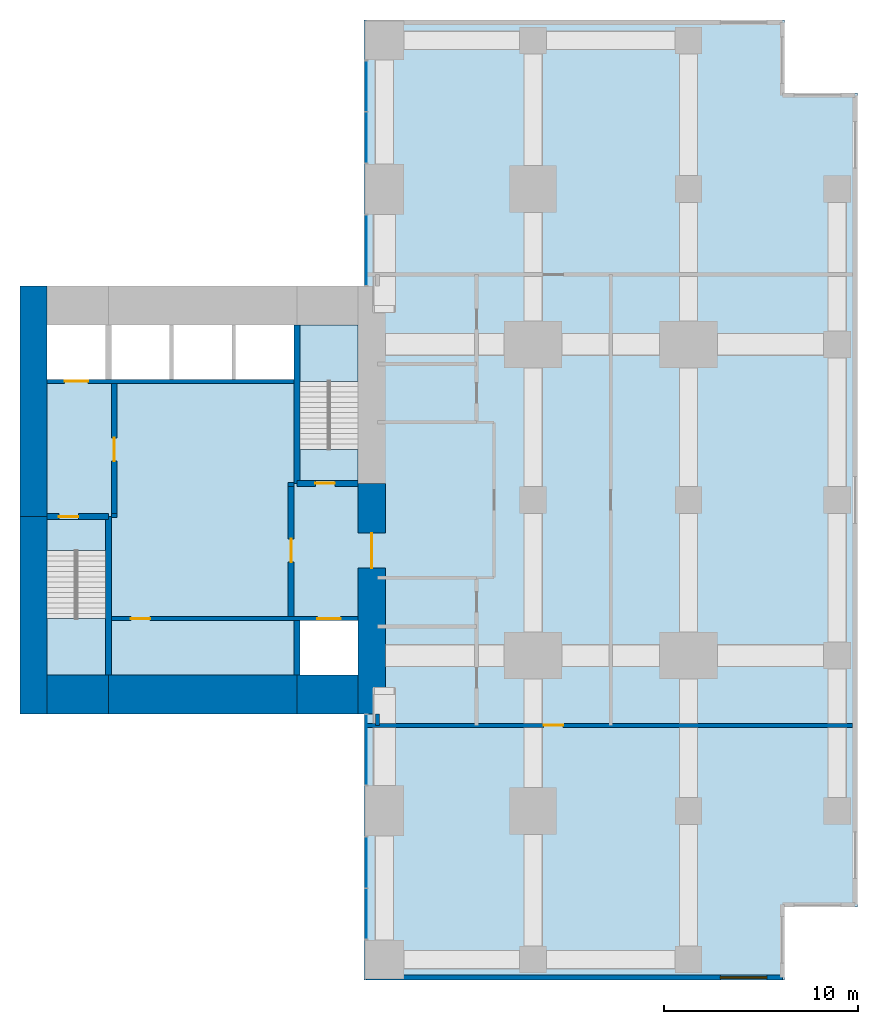
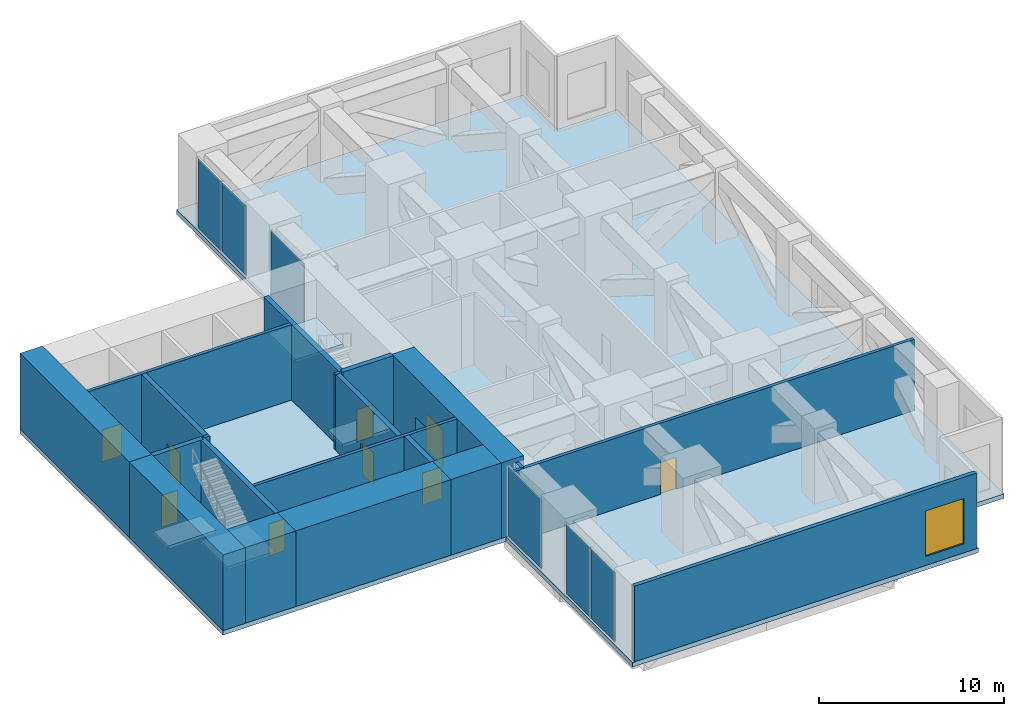
# One storey, part 4 of 7: 20 walls, 9 doors, 6 plates, 5 slabs, 1 window, 10 openings, 6 elements without a shape of their own.
"""IFC4 building model written with IfcOpenShell, lengths in metres."""

from ifc_helpers import new_model, si_unit, direction, frame, frame_2d, origin, origin_2d, place, context, subcontext, project, spatial, polyline, rectangle, outline, extrude, material, layer, layer_set, type_object, element, fill, aggregate, save


model = new_model("IFC4")

# Units and contexts
model_context = context("Model", 3, precision=1e-05, world=origin(), true_north=direction((0.0, 1.0)))
body_context = subcontext(model_context, "Body", "Model", "MODEL_VIEW")
ifc_project = project(units=[si_unit("LENGTHUNIT", "METRE"), si_unit("AREAUNIT", "SQUARE_METRE"), si_unit("VOLUMEUNIT", "CUBIC_METRE"), si_unit("PLANEANGLEUNIT", "RADIAN"), si_unit("MASSUNIT", "GRAM", prefix="KILO")], contexts=[model_context])

# Site, building, storey
site_placement = place(None, origin())
site = spatial("IfcSite", under=ifc_project, at=site_placement, CompositionType="ELEMENT")
building_placement = place(site_placement, origin())
building = spatial("IfcBuilding", under=site, at=building_placement, Name="Cleftline Residences", CompositionType="ELEMENT")
storey_placement = place(building_placement, frame((0.0, 0.0, 291.60009765625)))
storey = spatial("IfcBuildingStorey", under=building, at=storey_placement, Name="L76", CompositionType="ELEMENT", Elevation=291.60009765625)

# Curtain wall, plate
ifc_material_1 = material(Name="Aluminium framed curtain wall", Category="aluminium")
ifc_layer_1 = layer(ifc_material_1, 0.199951171875)
ifc_layer_set_1 = layer_set([ifc_layer_1], Name="CW1 CLEFT GLAZING")
curtain_wall_type = type_object("IfcCurtainWallType", Name="CW1 CLEFT GLAZING", PredefinedType="NOTDEFINED", material=ifc_layer_set_1)
curtain_wall_1_placement = place(storey_placement, origin())
curtain_wall_1 = element("IfcCurtainWall", 1, at=curtain_wall_1_placement, inside=storey, type_object=curtain_wall_type, Name="Curtain wall CW1", PredefinedType="NOTDEFINED")
ifc_material_2 = material(Name="Insulated aluminium panel", Category="aluminium")
ifc_layer_2 = layer(ifc_material_2, 0.028076171875)
ifc_layer_set_2 = layer_set([ifc_layer_2], Name="CW1 INSULATED PANEL")
plate_type = type_object("IfcPlateType", Name="CW1 INSULATED PANEL", PredefinedType="USERDEFINED", material=ifc_layer_set_2)
plate_1_placement = place(storey_placement, frame((41.425048828125, 11.14990234375, 0.059814453125), z_axis=(0.0, 0.0, 1.0), x_axis=(0.0, -1.0, 0.0)))
plate_1 = element("IfcPlate", 2, at=plate_1_placement, type_object=plate_type, Name="CW1 panel 1.1", ObjectType="INSULATED PANEL", PredefinedType="USERDEFINED", context=body_context, shape_type="SweptSolid", body=[
    extrude(rectangle(XDim=3.580078125, YDim=0.028076171875, at=origin_2d()), origin(), (0.0, 0.0, 1.0), 4.580078125),
])
aggregate(curtain_wall_1, [plate_1])

# Curtain wall, plates
curtain_wall_2_placement = place(storey_placement, origin())
curtain_wall_2 = element("IfcCurtainWall", 3, at=curtain_wall_2_placement, inside=storey, type_object=curtain_wall_type, Name="Curtain wall CW1", PredefinedType="NOTDEFINED")
plate_2_placement = place(storey_placement, frame((41.425048828125, 5.347412109375, 0.059814453125), z_axis=(0.0, 0.0, 1.0), x_axis=(0.0, -1.0, 0.0)))
plate_2 = element("IfcPlate", 4, at=plate_2_placement, type_object=plate_type, Name="CW1 panel 1.1", ObjectType="INSULATED PANEL", PredefinedType="USERDEFINED", context=body_context, shape_type="SweptSolid", body=[
    extrude(rectangle(XDim=2.5849609375, YDim=0.028076171875, at=origin_2d()), origin(), (0.0, 0.0, 1.0), 4.580078125),
])
plate_3_placement = place(storey_placement, frame((41.425048828125, 2.702392578125, 0.059814453125), z_axis=(0.0, 0.0, 1.0), x_axis=(0.0, -1.0, 0.0)))
plate_3 = element("IfcPlate", 5, at=plate_3_placement, type_object=plate_type, Name="CW1 panel 2.1", ObjectType="INSULATED PANEL", PredefinedType="USERDEFINED", context=body_context, shape_type="SweptSolid", body=[
    extrude(rectangle(XDim=2.5849609375, YDim=0.028076171875, at=origin_2d()), origin(), (0.0, 0.0, 1.0), 4.580078125),
])
aggregate(curtain_wall_2, [plate_2, plate_3])

curtain_wall_3_placement = place(storey_placement, origin())
curtain_wall_3 = element("IfcCurtainWall", 6, at=curtain_wall_3_placement, inside=storey, type_object=curtain_wall_type, Name="Curtain wall CW1", PredefinedType="NOTDEFINED")
plate_4_placement = place(storey_placement, frame((41.425048828125, 45.297607421875, 0.059814453125), z_axis=(0.0, 0.0, 1.0), x_axis=(0.0, -1.0, 0.0)))
plate_4 = element("IfcPlate", 7, at=plate_4_placement, type_object=plate_type, Name="CW1 panel 1.1", ObjectType="INSULATED PANEL", PredefinedType="USERDEFINED", context=body_context, shape_type="SweptSolid", body=[
    extrude(rectangle(XDim=2.5849609375, YDim=0.028076171875, at=origin_2d()), origin(), (0.0, 0.0, 1.0), 4.580078125),
])
plate_5_placement = place(storey_placement, frame((41.425048828125, 42.652587890625, 0.059814453125), z_axis=(0.0, 0.0, 1.0), x_axis=(0.0, -1.0, 0.0)))
plate_5 = element("IfcPlate", 8, at=plate_5_placement, type_object=plate_type, Name="CW1 panel 2.1", ObjectType="INSULATED PANEL", PredefinedType="USERDEFINED", context=body_context, shape_type="SweptSolid", body=[
    extrude(rectangle(XDim=2.5849609375, YDim=0.028076171875, at=origin_2d()), origin(), (0.0, 0.0, 1.0), 4.580078125),
])
aggregate(curtain_wall_3, [plate_4, plate_5])

# Curtain wall, plate
curtain_wall_4_placement = place(storey_placement, origin())
curtain_wall_4 = element("IfcCurtainWall", 9, at=curtain_wall_4_placement, inside=storey, type_object=curtain_wall_type, Name="Curtain wall CW1", PredefinedType="NOTDEFINED")
plate_6_placement = place(storey_placement, frame((41.425048828125, 36.85009765625, 0.059814453125), z_axis=(0.0, 0.0, 1.0), x_axis=(0.0, -1.0, 0.0)))
plate_6 = element("IfcPlate", 10, at=plate_6_placement, type_object=plate_type, Name="CW1 panel 1.1", ObjectType="INSULATED PANEL", PredefinedType="USERDEFINED", context=body_context, shape_type="SweptSolid", body=[
    extrude(rectangle(XDim=3.580078125, YDim=0.028076171875, at=origin_2d()), origin(), (0.0, 0.0, 1.0), 4.580078125),
])
aggregate(curtain_wall_4, [plate_6])

# Slab
ifc_material_3 = material(Name="Concrete B45", Category="concrete")
ifc_layer_3 = layer(ifc_material_3, 0.300048828125)
ifc_layer_set_3 = layer_set([ifc_layer_3], Name="FLOOR SLAB 300")
slab_type_1 = type_object("IfcSlabType", Name="FLOOR SLAB 300", PredefinedType="FLOOR", material=ifc_layer_set_3)
slab_1_placement = place(storey_placement, frame((0.0, 0.0, -0.300048828125)))
element("IfcSlab", 11, at=slab_1_placement, inside=storey, type_object=slab_type_1, Name="Floor slab L76", PredefinedType="FLOOR", context=body_context, shape_type="SweptSolid", body=[
    extrude(outline(polyline([(41.300048828125, 13.0), (41.300048828125, -0.699951171875), (62.949951171875, -0.699951171875), (62.949951171875, 3.050048828125), (66.699951171875, 3.050048828125), (66.699951171875, 44.949951171875), (62.949951171875, 44.949951171875), (62.949951171875, 48.699951171875), (41.300048828125, 48.699951171875), (41.300048828125, 35.0), (23.60009765625, 35.0), (23.60009765625, 13.0), (41.300048828125, 13.0)]), holes=[polyline([(28.0, 15.0), (28.0, 23.0), (25.0, 23.0), (25.0, 15.0), (28.0, 15.0)]), polyline([(41.0, 25.0), (41.0, 33.0), (38.0, 33.0), (38.0, 25.0), (41.0, 25.0)]), polyline([(28.0, 30.199951171875), (28.0, 33.0), (25.0, 33.0), (25.0, 30.199951171875), (28.0, 30.199951171875)]), polyline([(41.0, 15.0), (41.0, 17.800048828125), (38.0, 17.800048828125), (38.0, 15.0), (41.0, 15.0)]), polyline([(31.300048828125, 30.199951171875), (31.300048828125, 33.0), (28.300048828125, 33.0), (28.300048828125, 30.199951171875), (31.300048828125, 30.199951171875)]), polyline([(34.5, 30.199951171875), (34.5, 33.0), (31.5, 33.0), (31.5, 30.199951171875), (34.5, 30.199951171875)]), polyline([(37.699951171875, 30.199951171875), (37.699951171875, 33.0), (34.699951171875, 33.0), (34.699951171875, 30.199951171875), (37.699951171875, 30.199951171875)])]), origin(), (0.0, 0.0, 1.0), 0.300048828125),
])

# Stair, slabs
ifc_material_4 = material(Name="Concrete B45, stone treads", Category="masonry")
stair_type_1 = type_object("IfcStairType", Name="STAIR A 1450 WIDE 179 RISER", PredefinedType="HALF_TURN_STAIR", material=ifc_material_4)
stair_1_placement = place(storey_placement, origin())
stair_1 = element("IfcStair", 12, at=stair_1_placement, inside=storey, type_object=stair_type_1, Name="Stair A L76", PredefinedType="HALF_TURN_STAIR")
ifc_material_5 = material(Name="Concrete B45", Category="concrete")
ifc_layer_4 = layer(ifc_material_5, 0.199951171875)
ifc_layer_set_4 = layer_set([ifc_layer_4], Name="STAIR LANDING 200")
slab_type_2 = type_object("IfcSlabType", Name="STAIR LANDING 200", PredefinedType="LANDING", material=ifc_layer_set_4)
slab_2_placement = place(storey_placement, frame((0.0, 0.0, -0.2001953125)))
slab_2 = element("IfcSlab", 13, at=slab_2_placement, type_object=slab_type_2, Name="ST-A landing 1", PredefinedType="LANDING", context=body_context, shape_type="SweptSolid", body=[
    extrude(outline(polyline([(25.0, 21.39990234375), (28.0, 21.39990234375), (28.0, 23.0), (25.0, 23.0), (25.0, 21.39990234375)])), origin(), (0.0, 0.0, 1.0), 0.2001953125),
])
slab_3_placement = place(storey_placement, frame((0.0, 0.0, 2.2998046875)))
slab_3 = element("IfcSlab", 14, at=slab_3_placement, type_object=slab_type_2, Name="ST-A landing 2", PredefinedType="LANDING", context=body_context, shape_type="SweptSolid", body=[
    extrude(outline(polyline([(25.0, 15.0), (28.0, 15.0), (28.0, 17.889892578125), (25.0, 17.889892578125), (25.0, 15.0)])), origin(), (0.0, 0.0, 1.0), 0.2001953125),
])
aggregate(stair_1, [slab_2, slab_3])

ifc_material_6 = material(Name="Concrete B45, stone treads", Category="masonry")
stair_type_2 = type_object("IfcStairType", Name="STAIR B 1450 WIDE 179 RISER", PredefinedType="HALF_TURN_STAIR", material=ifc_material_6)
stair_2_placement = place(storey_placement, origin())
stair_2 = element("IfcStair", 15, at=stair_2_placement, inside=storey, type_object=stair_type_2, Name="Stair B L76", PredefinedType="HALF_TURN_STAIR")
slab_4_placement = place(storey_placement, frame((0.0, 0.0, -0.2001953125)))
slab_4 = element("IfcSlab", 16, at=slab_4_placement, type_object=slab_type_2, Name="ST-B landing 1", PredefinedType="LANDING", context=body_context, shape_type="SweptSolid", body=[
    extrude(outline(polyline([(38.0, 25.0), (41.0, 25.0), (41.0, 26.60009765625), (38.0, 26.60009765625), (38.0, 25.0)])), origin(), (0.0, 0.0, 1.0), 0.2001953125),
])
slab_5_placement = place(storey_placement, frame((0.0, 0.0, 2.2998046875)))
slab_5 = element("IfcSlab", 17, at=slab_5_placement, type_object=slab_type_2, Name="ST-B landing 2", PredefinedType="LANDING", context=body_context, shape_type="SweptSolid", body=[
    extrude(outline(polyline([(38.0, 30.110107421875), (41.0, 30.110107421875), (41.0, 33.0), (38.0, 33.0), (38.0, 30.110107421875)])), origin(), (0.0, 0.0, 1.0), 0.2001953125),
])
aggregate(stair_2, [slab_4, slab_5])

# Walls
ifc_material_7 = material(Name="Concrete B70", Category="concrete")
ifc_layer_5 = layer(ifc_material_7, 1.39990234375)
ifc_layer_set_5 = layer_set([ifc_layer_5], Name="CORE WALL 1400")
wall_type_1 = type_object("IfcWallType", Name="CORE WALL 1400", PredefinedType="SHEAR", material=ifc_layer_set_5)
wall_1_placement = place(storey_placement, frame((24.300048828125, 13.0, 0.0), z_axis=(0.0, 0.0, 1.0), x_axis=(0.0, 1.0, 0.0)))
element("IfcWall", 18, at=wall_1_placement, inside=storey, type_object=wall_type_1, Name="Core wall W0", PredefinedType="SHEAR", context=body_context, shape_type="SweptSolid", body=[
    extrude(rectangle(XDim=10.14990234375, YDim=1.39990234375, at=frame_2d((5.074951171875, 0.0))), origin(), (0.0, 0.0, 1.0), 5.0),
])
wall_2_placement = place(storey_placement, frame((24.300048828125, 23.14990234375, 0.0), z_axis=(0.0, 0.0, 1.0), x_axis=(0.0, 1.0, 0.0)))
element("IfcWall", 19, at=wall_2_placement, inside=storey, type_object=wall_type_1, Name="Core wall W", PredefinedType="SHEAR", context=body_context, shape_type="SweptSolid", body=[
    extrude(rectangle(XDim=11.85009765625, YDim=1.39990234375, at=frame_2d((5.925048828125, 0.0))), origin(), (0.0, 0.0, 1.0), 5.0),
])

# Wall, opening, door
wall_3_placement = place(storey_placement, frame((41.699951171875, 13.0, 0.0), z_axis=(0.0, 0.0, 1.0), x_axis=(0.0, 1.0, 0.0)))
wall_3 = element("IfcWall", 20, at=wall_3_placement, inside=storey, type_object=wall_type_1, Name="Core wall E", PredefinedType="SHEAR", context=body_context, shape_type="SweptSolid", body=[
    extrude(rectangle(XDim=11.85009765625, YDim=1.39990234375, at=frame_2d((5.925048828125, 0.0))), origin(), (0.0, 0.0, 1.0), 5.0),
])
opening_1_placement = place(wall_3_placement, frame((7.5, 0.0, 0.0)))
opening_1 = element("IfcOpeningElement", 21, at=opening_1_placement, cuts=wall_3, Name="Opening D7", PredefinedType="OPENING", context=body_context, shape_type="SweptSolid", body=[
    extrude(rectangle(XDim=1.800048828125, YDim=2.39990234375, at=frame_2d((0.89990234375, 1.199951171875))), frame((0.0, 0.7099609375, 0.0), z_axis=(0.0, -1.0, 0.0), x_axis=(1.0, 0.0, 0.0)), (0.0, 0.0, 1.0), 1.419921875),
])
ifc_material_8 = material(Name="Steel", Category="steel")
door_type_1 = type_object("IfcDoorType", Name="WING DOOR 1800X2400", OperationType="DOUBLE_DOOR_DOUBLE_SWING", PredefinedType="DOOR", material=ifc_material_8)
door_1_placement = place(opening_1_placement, origin())
door_1 = element("IfcDoor", 22, at=door_1_placement, inside=storey, type_object=door_type_1, Name="East wing door", OperationType="DOUBLE_DOOR_DOUBLE_SWING", OverallHeight=2.39990234375, OverallWidth=1.800048828125, PredefinedType="DOOR", context=body_context, shape_type="SweptSolid", body=[
    extrude(rectangle(XDim=1.800048828125, YDim=2.39990234375, at=frame_2d((0.89990234375, 1.199951171875))), frame((0.0, 0.02490234375, 0.0), z_axis=(0.0, -1.0, 0.0), x_axis=(1.0, 0.0, 0.0)), (0.0, 0.0, 1.0), 0.050048828125),
])
fill(opening_1, door_1)

# Walls
ifc_material_9 = material(Name="Concrete B70", Category="concrete")
ifc_layer_6 = layer(ifc_material_9, 2.0)
ifc_layer_set_6 = layer_set([ifc_layer_6], Name="CORE WALL 2000")
wall_type_2 = type_object("IfcWallType", Name="CORE WALL 2000", PredefinedType="SHEAR", material=ifc_layer_set_6)
wall_4_placement = place(storey_placement, frame((25.0, 14.0, 0.0), z_axis=(0.0, 0.0, 1.0), x_axis=(1.0, 0.0, 0.0)))
element("IfcWall", 23, at=wall_4_placement, inside=storey, type_object=wall_type_2, Name="Core wall S1", PredefinedType="SHEAR", context=body_context, shape_type="SweptSolid", body=[
    extrude(rectangle(XDim=3.14990234375, YDim=2.0, at=frame_2d((1.574951171875, 0.0))), origin(), (0.0, 0.0, 1.0), 5.0),
])
wall_5_placement = place(storey_placement, frame((28.14990234375, 14.0, 0.0), z_axis=(0.0, 0.0, 1.0), x_axis=(1.0, 0.0, 0.0)))
element("IfcWall", 24, at=wall_5_placement, inside=storey, type_object=wall_type_2, Name="Core wall S2", PredefinedType="SHEAR", context=body_context, shape_type="SweptSolid", body=[
    extrude(rectangle(XDim=9.7001953125, YDim=2.0, at=frame_2d((4.85009765625, 0.0))), origin(), (0.0, 0.0, 1.0), 5.0),
])
wall_6_placement = place(storey_placement, frame((37.85009765625, 14.0, 0.0), z_axis=(0.0, 0.0, 1.0), x_axis=(1.0, 0.0, 0.0)))
element("IfcWall", 25, at=wall_6_placement, inside=storey, type_object=wall_type_2, Name="Core wall S3", PredefinedType="SHEAR", context=body_context, shape_type="SweptSolid", body=[
    extrude(rectangle(XDim=3.14990234375, YDim=2.0, at=frame_2d((1.574951171875, 0.0))), origin(), (0.0, 0.0, 1.0), 5.0),
])
ifc_material_10 = material(Name="Concrete B70", Category="concrete")
ifc_layer_7 = layer(ifc_material_10, 0.300048828125)
ifc_layer_set_7 = layer_set([ifc_layer_7], Name="CORE WALL 300")
wall_type_3 = type_object("IfcWallType", Name="CORE WALL 300", PredefinedType="SHEAR", material=ifc_layer_set_7)
wall_7_placement = place(storey_placement, frame((28.14990234375, 15.0, 0.0), z_axis=(0.0, 0.0, 1.0), x_axis=(0.0, 1.0, 0.0)))
element("IfcWall", 26, at=wall_7_placement, inside=storey, type_object=wall_type_3, Name="Core wall SA-E", PredefinedType="SHEAR", context=body_context, shape_type="SweptSolid", body=[
    extrude(rectangle(XDim=8.14990234375, YDim=0.300048828125, at=frame_2d((4.074951171875, 0.0))), origin(), (0.0, 0.0, 1.0), 5.0),
])

# Wall, opening, door
wall_8_placement = place(storey_placement, frame((25.0, 23.14990234375, 0.0), z_axis=(0.0, 0.0, 1.0), x_axis=(1.0, 0.0, 0.0)))
wall_8 = element("IfcWall", 27, at=wall_8_placement, inside=storey, type_object=wall_type_3, Name="Core wall SA-N", PredefinedType="SHEAR", context=body_context, shape_type="SweptSolid", body=[
    extrude(rectangle(XDim=3.14990234375, YDim=0.300048828125, at=frame_2d((1.574951171875, 0.0))), origin(), (0.0, 0.0, 1.0), 5.0),
])
opening_2_placement = place(wall_8_placement, frame((0.60009765625, 0.0, 0.0)))
opening_2 = element("IfcOpeningElement", 28, at=opening_2_placement, cuts=wall_8, Name="Opening D5", PredefinedType="OPENING", context=body_context, shape_type="SweptSolid", body=[
    extrude(rectangle(XDim=1.0, YDim=2.10009765625, at=frame_2d((0.5, 1.050048828125))), frame((0.0, 0.159912109375, 0.0), z_axis=(0.0, -1.0, 0.0), x_axis=(1.0, 0.0, 0.0)), (0.0, 0.0, 1.0), 0.320068359375),
])
ifc_material_11 = material(Name="Steel", Category="steel")
door_type_2 = type_object("IfcDoorType", Name="STAIR DOOR 1000X2100", OperationType="SINGLE_SWING_LEFT", PredefinedType="DOOR", material=ifc_material_11)
door_2_placement = place(opening_2_placement, origin())
door_2 = element("IfcDoor", 29, at=door_2_placement, inside=storey, type_object=door_type_2, Name="Stair A door", OperationType="SINGLE_SWING_RIGHT", OverallHeight=2.10009765625, OverallWidth=1.0, PredefinedType="DOOR", context=body_context, shape_type="SweptSolid", body=[
    extrude(rectangle(XDim=1.0, YDim=2.10009765625, at=frame_2d((0.5, 1.050048828125))), frame((0.0, 0.02490234375, 0.0), z_axis=(0.0, -1.0, 0.0), x_axis=(1.0, 0.0, 0.0)), (0.0, 0.0, 1.0), 0.050048828125),
])
fill(opening_2, door_2)

# Wall
wall_9_placement = place(storey_placement, frame((37.85009765625, 24.85009765625, 0.0), z_axis=(0.0, 0.0, 1.0), x_axis=(0.0, 1.0, 0.0)))
element("IfcWall", 30, at=wall_9_placement, inside=storey, type_object=wall_type_3, Name="Core wall SB-W", PredefinedType="SHEAR", context=body_context, shape_type="SweptSolid", body=[
    extrude(rectangle(XDim=8.14990234375, YDim=0.300048828125, at=frame_2d((4.074951171875, 0.0))), origin(), (0.0, 0.0, 1.0), 5.0),
])

# Wall, opening, door
wall_10_placement = place(storey_placement, frame((37.85009765625, 24.85009765625, 0.0), z_axis=(0.0, 0.0, 1.0), x_axis=(1.0, 0.0, 0.0)))
wall_10 = element("IfcWall", 31, at=wall_10_placement, inside=storey, type_object=wall_type_3, Name="Core wall SB-S", PredefinedType="SHEAR", context=body_context, shape_type="SweptSolid", body=[
    extrude(rectangle(XDim=3.14990234375, YDim=0.300048828125, at=frame_2d((1.574951171875, 0.0))), origin(), (0.0, 0.0, 1.0), 5.0),
])
opening_3_placement = place(wall_10_placement, frame((0.949951171875, 0.0, 0.0)))
opening_3 = element("IfcOpeningElement", 32, at=opening_3_placement, cuts=wall_10, Name="Opening D5", PredefinedType="OPENING", context=body_context, shape_type="SweptSolid", body=[
    extrude(rectangle(XDim=1.0, YDim=2.10009765625, at=frame_2d((0.5, 1.050048828125))), frame((0.0, 0.159912109375, 0.0), z_axis=(0.0, -1.0, 0.0), x_axis=(1.0, 0.0, 0.0)), (0.0, 0.0, 1.0), 0.320068359375),
])
door_3_placement = place(opening_3_placement, origin())
door_3 = element("IfcDoor", 33, at=door_3_placement, inside=storey, type_object=door_type_2, Name="Stair B door", OperationType="SINGLE_SWING_RIGHT", OverallHeight=2.10009765625, OverallWidth=1.0, PredefinedType="DOOR", context=body_context, shape_type="SweptSolid", body=[
    extrude(rectangle(XDim=1.0, YDim=2.10009765625, at=frame_2d((0.5, 1.050048828125))), frame((0.0, 0.02490234375, 0.0), z_axis=(0.0, -1.0, 0.0), x_axis=(1.0, 0.0, 0.0)), (0.0, 0.0, 1.0), 0.050048828125),
])
fill(opening_3, door_3)

# Wall
wall_11_placement = place(storey_placement, frame((37.85009765625, 15.0, 0.0), z_axis=(0.0, 0.0, 1.0), x_axis=(0.0, 1.0, 0.0)))
element("IfcWall", 34, at=wall_11_placement, inside=storey, type_object=wall_type_3, Name="Lift shaft wall", PredefinedType="SHEAR", context=body_context, shape_type="SweptSolid", body=[
    extrude(rectangle(XDim=2.800048828125, YDim=0.300048828125, at=frame_2d((1.39990234375, 0.0))), origin(), (0.0, 0.0, 1.0), 5.0),
])

# Wall, opening, window
ifc_material_12 = material(Name="Rendered reinforced concrete blockwork", Category="masonry")
ifc_layer_8 = layer(ifc_material_12, 0.25)
ifc_layer_set_8 = layer_set([ifc_layer_8], Name="EXTERNAL WALL 250")
wall_type_4 = type_object("IfcWallType", Name="EXTERNAL WALL 250", PredefinedType="SOLIDWALL", material=ifc_layer_set_8)
wall_12_placement = place(storey_placement, frame((41.425048828125, -0.574951171875, 0.0), z_axis=(0.0, 0.0, 1.0), x_axis=(1.0, 0.0, 0.0)))
wall_12 = element("IfcWall", 35, at=wall_12_placement, inside=storey, type_object=wall_type_4, Name="External wall", PredefinedType="SOLIDWALL", context=body_context, shape_type="SweptSolid", body=[
    extrude(rectangle(XDim=21.39990234375, YDim=0.25, at=frame_2d((10.699951171875, 0.0))), origin(), (0.0, 0.0, 1.0), 5.0),
])
opening_4_placement = place(wall_12_placement, frame((18.21240234375, 0.0, 0.60009765625)))
opening_4 = element("IfcOpeningElement", 36, at=opening_4_placement, cuts=wall_12, Name="Opening W3", PredefinedType="OPENING", context=body_context, shape_type="SweptSolid", body=[
    extrude(rectangle(XDim=2.39990234375, YDim=3.0, at=frame_2d((1.199951171875, 1.5))), frame((0.0, 0.135009765625, 0.0), z_axis=(0.0, -1.0, 0.0), x_axis=(1.0, 0.0, 0.0)), (0.0, 0.0, 1.0), 0.27001953125),
])
ifc_material_13 = material(Name="Aluminium frame, clear double glazing", Category="aluminium")
window_type = type_object("IfcWindowType", Name="WINDOW 2400X3000", PartitioningType="DOUBLE_PANEL_VERTICAL", PredefinedType="WINDOW", material=ifc_material_13)
window_placement = place(opening_4_placement, origin())
window = element("IfcWindow", 37, at=window_placement, inside=storey, type_object=window_type, Name="Window", OverallHeight=3.0, OverallWidth=2.39990234375, PartitioningType="SINGLE_PANEL", PredefinedType="WINDOW", context=body_context, shape_type="SweptSolid", body=[
    extrude(rectangle(XDim=2.39990234375, YDim=3.0, at=frame_2d((1.199951171875, 1.5))), frame((0.0, 0.030029296875, 0.0), z_axis=(0.0, -1.0, 0.0), x_axis=(1.0, 0.0, 0.0)), (0.0, 0.0, 1.0), 0.06005859375),
])
fill(opening_4, window)

# Wall, opening, door
ifc_material_14 = material(Name="Concrete blockwork, fire rated", Category="masonry")
ifc_layer_9 = layer(ifc_material_14, 0.199951171875)
ifc_layer_set_9 = layer_set([ifc_layer_9], Name="FIRE WALL 200")
wall_type_5 = type_object("IfcWallType", Name="FIRE WALL 200", PredefinedType="PARTITIONING", material=ifc_layer_set_9)
wall_13_placement = place(storey_placement, frame((41.43896484375, 12.39990234375, 0.0), z_axis=(0.0, 0.0, 1.0), x_axis=(1.0, 0.0, 0.0)))
wall_13 = element("IfcWall", 38, at=wall_13_placement, inside=storey, type_object=wall_type_5, Name="Fire separating wall", PredefinedType="PARTITIONING", context=body_context, shape_type="SweptSolid", body=[
    extrude(rectangle(XDim=25.010986328125, YDim=0.199951171875, at=frame_2d((12.50537109375, 0.0))), origin(), (0.0, 0.0, 1.0), 4.699951171875),
])
opening_5_placement = place(wall_13_placement, frame((9.111083984375, 0.0, 0.0)))
opening_5 = element("IfcOpeningElement", 39, at=opening_5_placement, cuts=wall_13, Name="Opening D2F60", PredefinedType="OPENING", context=body_context, shape_type="SweptSolid", body=[
    extrude(rectangle(XDim=1.0, YDim=2.10009765625, at=frame_2d((0.5, 1.050048828125))), frame((0.0, 0.10986328125, 0.0), z_axis=(0.0, -1.0, 0.0), x_axis=(1.0, 0.0, 0.0)), (0.0, 0.0, 1.0), 0.219970703125),
])
ifc_material_15 = material(Name="Timber veneer on solid core", Category="wood")
door_type_3 = type_object("IfcDoorType", Name="DOOR 1000X2100 EI 60", OperationType="SINGLE_SWING_LEFT", PredefinedType="DOOR", material=ifc_material_15)
door_4_placement = place(opening_5_placement, origin())
door_4 = element("IfcDoor", 40, at=door_4_placement, inside=storey, type_object=door_type_3, Name="Door to chiller plant room", OperationType="SINGLE_SWING_RIGHT", OverallHeight=2.10009765625, OverallWidth=1.0, PredefinedType="DOOR", context=body_context, shape_type="SweptSolid", body=[
    extrude(rectangle(XDim=1.0, YDim=2.10009765625, at=frame_2d((0.5, 1.050048828125))), frame((0.0, 0.02490234375, 0.0), z_axis=(0.0, -1.0, 0.0), x_axis=(1.0, 0.0, 0.0)), (0.0, 0.0, 1.0), 0.050048828125),
])
fill(opening_5, door_4)

# Walls
wall_14_placement = place(storey_placement, frame((42.0, 12.39990234375, 0.0), z_axis=(0.0, 0.0, 1.0), x_axis=(0.0, 1.0, 0.0)))
element("IfcWall", 41, at=wall_14_placement, inside=storey, type_object=wall_type_5, Name="Fire separating wall", PredefinedType="PARTITIONING", context=body_context, shape_type="SweptSolid", body=[
    extrude(rectangle(XDim=0.60009765625, YDim=0.199951171875, at=frame_2d((0.300048828125, 0.0))), origin(), (0.0, 0.0, 1.0), 4.699951171875),
])
for number, where, z_axis, x_axis, name in (
    (42, (28.300048828125, 23.199951171875, 0.0), (0.0, 0.0, 1.0), (1.0, 0.0, 0.0), "Fire separating wall"),
    (43, (37.39990234375, 24.800048828125, 0.0), (0.0, 0.0, 1.0), (1.0, 0.0, 0.0), "Fire separating wall"),
):
    element("IfcWall", number, at=place(storey_placement, frame(where, z_axis=z_axis, x_axis=x_axis)), inside=storey, type_object=wall_type_5, Name=name, PredefinedType="PARTITIONING", context=body_context, shape_type="SweptSolid", body=[
        extrude(rectangle(XDim=0.300048828125, YDim=0.199951171875, at=frame_2d((0.14990234375, 0.0))), origin(), (0.0, 0.0, 1.0), 5.0),
    ])

# Wall, openings, doors
ifc_material_16 = material(Name="Concrete blockwork, fire rated", Category="masonry")
ifc_layer_10 = layer(ifc_material_16, 0.199951171875)
ifc_layer_set_10 = layer_set([ifc_layer_10], Name="SHAFT WALL 200")
wall_type_6 = type_object("IfcWallType", Name="SHAFT WALL 200", PredefinedType="PARTITIONING", material=ifc_layer_set_10)
wall_15_placement = place(storey_placement, frame((28.300048828125, 17.89990234375, 0.0), z_axis=(0.0, 0.0, 1.0), x_axis=(1.0, 0.0, 0.0)))
wall_15 = element("IfcWall", 44, at=wall_15_placement, inside=storey, type_object=wall_type_6, Name="Core room wall", PredefinedType="PARTITIONING", context=body_context, shape_type="SweptSolid", body=[
    extrude(rectangle(XDim=12.699951171875, YDim=0.199951171875, at=frame_2d((6.35009765625, 0.0))), origin(), (0.0, 0.0, 1.0), 5.0),
])
opening_6_placement = place(wall_15_placement, frame((1.0, 0.0, 0.0)))
opening_6 = element("IfcOpeningElement", 45, at=opening_6_placement, cuts=wall_15, Name="Opening D2F60", PredefinedType="OPENING", context=body_context, shape_type="SweptSolid", body=[
    extrude(rectangle(XDim=1.0, YDim=2.10009765625, at=frame_2d((0.5, 1.050048828125))), frame((0.0, 0.10986328125, 0.0), z_axis=(0.0, -1.0, 0.0), x_axis=(1.0, 0.0, 0.0)), (0.0, 0.0, 1.0), 0.219970703125),
])
opening_7_placement = place(wall_15_placement, frame((10.60009765625, 0.0, 0.0)))
opening_7 = element("IfcOpeningElement", 46, at=opening_7_placement, cuts=wall_15, Name="Opening LD2", PredefinedType="OPENING", context=body_context, shape_type="SweptSolid", body=[
    extrude(rectangle(XDim=1.199951171875, YDim=2.10009765625, at=frame_2d((0.60009765625, 1.050048828125))), frame((0.0, 0.10986328125, 0.0), z_axis=(0.0, -1.0, 0.0), x_axis=(1.0, 0.0, 0.0)), (0.0, 0.0, 1.0), 0.219970703125),
])
door_5_placement = place(opening_6_placement, origin())
door_5 = element("IfcDoor", 47, at=door_5_placement, inside=storey, type_object=door_type_3, Name="Door to electrical room", OperationType="SINGLE_SWING_RIGHT", OverallHeight=2.10009765625, OverallWidth=1.0, PredefinedType="DOOR", context=body_context, shape_type="SweptSolid", body=[
    extrude(rectangle(XDim=1.0, YDim=2.10009765625, at=frame_2d((0.5, 1.050048828125))), frame((0.0, 0.02490234375, 0.0), z_axis=(0.0, -1.0, 0.0), x_axis=(1.0, 0.0, 0.0)), (0.0, 0.0, 1.0), 0.050048828125),
])
fill(opening_6, door_5)
ifc_material_17 = material(Name="Steel", Category="steel")
door_type_4 = type_object("IfcDoorType", Name="FIREFIGHTING LIFT LANDING DOOR 1200X2100", OperationType="SLIDING_TO_LEFT", PredefinedType="DOOR", material=ifc_material_17)
door_6_placement = place(opening_7_placement, origin())
door_6 = element("IfcDoor", 48, at=door_6_placement, inside=storey, type_object=door_type_4, Name="Lift FL2 landing door", OperationType="SLIDING_TO_LEFT", OverallHeight=2.10009765625, OverallWidth=1.199951171875, PredefinedType="DOOR", context=body_context, shape_type="SweptSolid", body=[
    extrude(rectangle(XDim=1.199951171875, YDim=2.10009765625, at=frame_2d((0.60009765625, 1.050048828125))), frame((0.0, 0.02490234375, 0.0), z_axis=(0.0, -1.0, 0.0), x_axis=(1.0, 0.0, 0.0)), (0.0, 0.0, 1.0), 0.050048828125),
])
fill(opening_7, door_6)

# Wall, opening, door
wall_16_placement = place(storey_placement, frame((25.0, 30.10009765625, 0.0), z_axis=(0.0, 0.0, 1.0), x_axis=(1.0, 0.0, 0.0)))
wall_16 = element("IfcWall", 49, at=wall_16_placement, inside=storey, type_object=wall_type_6, Name="Lift shaft wall", PredefinedType="PARTITIONING", context=body_context, shape_type="SweptSolid", body=[
    extrude(rectangle(XDim=12.699951171875, YDim=0.199951171875, at=frame_2d((6.35009765625, 0.0))), origin(), (0.0, 0.0, 1.0), 5.0),
])
opening_8_placement = place(wall_16_placement, frame((0.89990234375, 0.0, 0.0)))
opening_8 = element("IfcOpeningElement", 50, at=opening_8_placement, cuts=wall_16, Name="Opening LD2", PredefinedType="OPENING", context=body_context, shape_type="SweptSolid", body=[
    extrude(rectangle(XDim=1.199951171875, YDim=2.10009765625, at=frame_2d((0.60009765625, 1.050048828125))), frame((0.0, 0.10986328125, 0.0), z_axis=(0.0, -1.0, 0.0), x_axis=(1.0, 0.0, 0.0)), (0.0, 0.0, 1.0), 0.219970703125),
])
door_7_placement = place(opening_8_placement, origin())
door_7 = element("IfcDoor", 51, at=door_7_placement, inside=storey, type_object=door_type_4, Name="Lift FL1 landing door", OperationType="SLIDING_TO_LEFT", OverallHeight=2.10009765625, OverallWidth=1.199951171875, PredefinedType="DOOR", context=body_context, shape_type="SweptSolid", body=[
    extrude(rectangle(XDim=1.199951171875, YDim=2.10009765625, at=frame_2d((0.60009765625, 1.050048828125))), frame((0.0, 0.02490234375, 0.0), z_axis=(0.0, -1.0, 0.0), x_axis=(1.0, 0.0, 0.0)), (0.0, 0.0, 1.0), 0.050048828125),
])
fill(opening_8, door_7)

ifc_material_18 = material(Name="Concrete blockwork, fire rated", Category="masonry")
ifc_layer_11 = layer(ifc_material_18, 0.300048828125)
ifc_layer_set_11 = layer_set([ifc_layer_11], Name="STAIR LOBBY WALL 300")
wall_type_7 = type_object("IfcWallType", Name="STAIR LOBBY WALL 300", PredefinedType="PARTITIONING", material=ifc_layer_set_11)
wall_17_placement = place(storey_placement, frame((28.449951171875, 23.300048828125, 0.0), z_axis=(0.0, 0.0, 1.0), x_axis=(0.0, 1.0, 0.0)))
wall_17 = element("IfcWall", 52, at=wall_17_placement, inside=storey, type_object=wall_type_7, Name="Stair and lobby wall FA-E", PredefinedType="PARTITIONING", context=body_context, shape_type="SweptSolid", body=[
    extrude(rectangle(XDim=6.699951171875, YDim=0.300048828125, at=frame_2d((3.35009765625, 0.0))), origin(), (0.0, 0.0, 1.0), 5.0),
])
opening_9_placement = place(wall_17_placement, frame((2.699951171875, 0.0, 0.0)))
opening_9 = element("IfcOpeningElement", 53, at=opening_9_placement, cuts=wall_17, Name="Opening D6", PredefinedType="OPENING", context=body_context, shape_type="SweptSolid", body=[
    extrude(rectangle(XDim=1.199951171875, YDim=2.10009765625, at=frame_2d((0.60009765625, 1.050048828125))), frame((0.0, 0.159912109375, 0.0), z_axis=(0.0, -1.0, 0.0), x_axis=(1.0, 0.0, 0.0)), (0.0, 0.0, 1.0), 0.320068359375),
])
ifc_material_19 = material(Name="Steel", Category="steel")
door_type_5 = type_object("IfcDoorType", Name="LOBBY DOOR 1200X2100", OperationType="SINGLE_SWING_RIGHT", PredefinedType="DOOR", material=ifc_material_19)
door_8_placement = place(opening_9_placement, origin())
door_8 = element("IfcDoor", 54, at=door_8_placement, inside=storey, type_object=door_type_5, Name="Firefighting lobby A door", OperationType="SINGLE_SWING_RIGHT", OverallHeight=2.10009765625, OverallWidth=1.199951171875, PredefinedType="DOOR", context=body_context, shape_type="SweptSolid", body=[
    extrude(rectangle(XDim=1.199951171875, YDim=2.10009765625, at=frame_2d((0.60009765625, 1.050048828125))), frame((0.0, 0.02490234375, 0.0), z_axis=(0.0, -1.0, 0.0), x_axis=(1.0, 0.0, 0.0)), (0.0, 0.0, 1.0), 0.050048828125),
])
fill(opening_9, door_8)

wall_18_placement = place(storey_placement, frame((37.550048828125, 18.0, 0.0), z_axis=(0.0, 0.0, 1.0), x_axis=(0.0, 1.0, 0.0)))
wall_18 = element("IfcWall", 55, at=wall_18_placement, inside=storey, type_object=wall_type_7, Name="Stair and lobby wall FB-W", PredefinedType="PARTITIONING", context=body_context, shape_type="SweptSolid", body=[
    extrude(rectangle(XDim=6.699951171875, YDim=0.300048828125, at=frame_2d((3.35009765625, 0.0))), origin(), (0.0, 0.0, 1.0), 5.0),
])
opening_10_placement = place(wall_18_placement, frame((2.800048828125, 0.0, 0.0)))
opening_10 = element("IfcOpeningElement", 56, at=opening_10_placement, cuts=wall_18, Name="Opening D6", PredefinedType="OPENING", context=body_context, shape_type="SweptSolid", body=[
    extrude(rectangle(XDim=1.199951171875, YDim=2.10009765625, at=frame_2d((0.60009765625, 1.050048828125))), frame((0.0, 0.159912109375, 0.0), z_axis=(0.0, -1.0, 0.0), x_axis=(1.0, 0.0, 0.0)), (0.0, 0.0, 1.0), 0.320068359375),
])
door_9_placement = place(opening_10_placement, origin())
door_9 = element("IfcDoor", 57, at=door_9_placement, inside=storey, type_object=door_type_5, Name="Firefighting lobby B door", OperationType="SINGLE_SWING_LEFT", OverallHeight=2.10009765625, OverallWidth=1.199951171875, PredefinedType="DOOR", context=body_context, shape_type="SweptSolid", body=[
    extrude(rectangle(XDim=1.199951171875, YDim=2.10009765625, at=frame_2d((0.60009765625, 1.050048828125))), frame((0.0, 0.02490234375, 0.0), z_axis=(0.0, -1.0, 0.0), x_axis=(1.0, 0.0, 0.0)), (0.0, 0.0, 1.0), 0.050048828125),
])
fill(opening_10, door_9)

save(model, "model.ifc")
